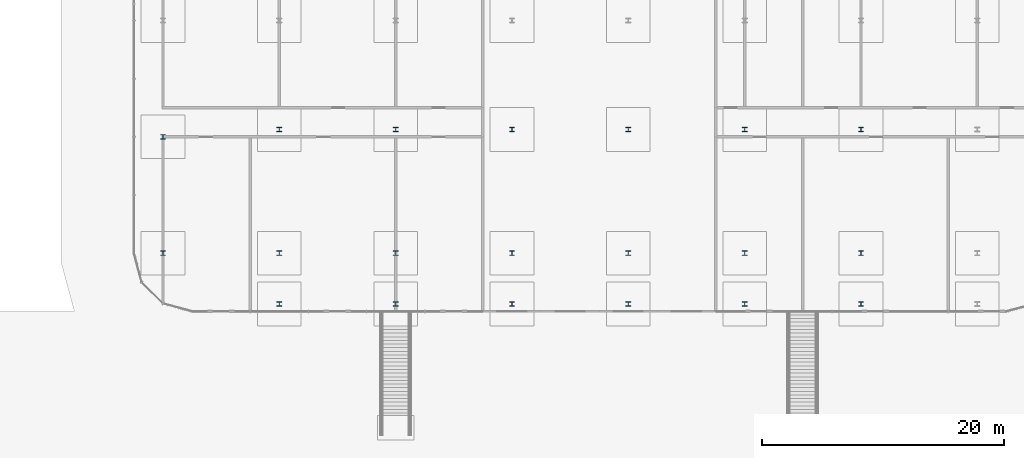
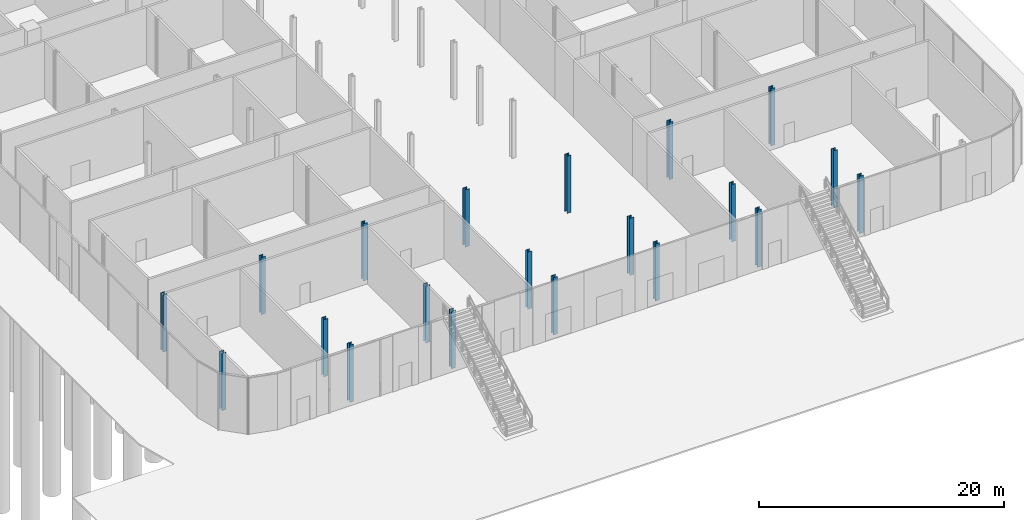
# One storey, part 3 of 44: 20 columns.
"""IFC4 building model written with IfcOpenShell, lengths in metres."""

from ifc_helpers import new_model, si_unit, direction, frame, origin, origin_2d, place, context, subcontext, project, spatial, i_section, extrude, material, material_profile, profile_set, type_object, element, save


model = new_model("IFC4")

# Units and contexts
model_context = context("Model", 3, precision=1e-05, world=origin(), true_north=direction((0.0, 1.0)))
body_context = subcontext(model_context, "Body", "Model", "MODEL_VIEW")
ifc_project = project(units=[si_unit("LENGTHUNIT", "METRE"), si_unit("AREAUNIT", "SQUARE_METRE"), si_unit("VOLUMEUNIT", "CUBIC_METRE"), si_unit("PLANEANGLEUNIT", "RADIAN"), si_unit("MASSUNIT", "GRAM", prefix="KILO")], contexts=[model_context])

# Site, building, storey
site_placement = place(None, origin())
site = spatial("IfcSite", under=ifc_project, at=site_placement, CompositionType="ELEMENT")
building_placement = place(site_placement, origin())
building = spatial("IfcBuilding", under=site, at=building_placement, Name="Madar Terraces", CompositionType="ELEMENT")
storey_placement = place(building_placement, origin())
storey = spatial("IfcBuildingStorey", under=building, at=storey_placement, Name="L00", CompositionType="ELEMENT", Elevation=0.0)

# Columns
ifc_material = material(Name="Steel ASTM A992 Grade 50", Category="steel")
ifc_material_profile = material_profile(ifc_material, i_section(OverallWidth=0.396240234375, OverallDepth=0.381103515625, WebThickness=0.01904296875, FlangeThickness=0.0302734375, at=origin_2d()), Name="W14x159")
ifc_profile_set = profile_set([ifc_material_profile], Name="Steel ASTM A992 Grade 50")
column_type = type_object("IfcColumnType", Name="PC2 W14x159", PredefinedType="COLUMN", material=ifc_profile_set)
for number, where, z_axis, x_axis, name in (
    (1, (-4.800048828125, -48.0, 0.0), (0.0, 0.0, 1.0), (1.0, 0.0, 0.0), "Podium column PC2"),
    (2, (-4.800048828125, -38.39990234375, 0.0), (0.0, 0.0, 1.0), (1.0, 0.0, 0.0), "Podium column PC2"),
    (3, (4.800048828125, -52.199951171875, 0.0), (0.0, 0.0, 1.0), (1.0, 0.0, 0.0), "Podium column PC2"),
    (4, (4.800048828125, -48.0, 0.0), (0.0, 0.0, 1.0), (1.0, 0.0, 0.0), "Podium column PC2"),
    (5, (4.800048828125, -37.800048828125, 0.0), (0.0, 0.0, 1.0), (1.0, 0.0, 0.0), "Podium column PC2"),
    (6, (14.39990234375, -52.199951171875, 0.0), (0.0, 0.0, 1.0), (1.0, 0.0, 0.0), "Podium column PC2"),
    (7, (14.39990234375, -48.0, 0.0), (0.0, 0.0, 1.0), (1.0, 0.0, 0.0), "Podium column PC2"),
    (8, (14.39990234375, -37.800048828125, 0.0), (0.0, 0.0, 1.0), (1.0, 0.0, 0.0), "Podium column PC2"),
    (9, (24.0, -52.199951171875, 0.0), (0.0, 0.0, 1.0), (1.0, 0.0, 0.0), "Podium column PC2"),
    (10, (24.0, -48.0, 0.0), (0.0, 0.0, 1.0), (1.0, 0.0, 0.0), "Podium column PC2"),
    (11, (24.0, -37.800048828125, 0.0), (0.0, 0.0, 1.0), (1.0, 0.0, 0.0), "Podium column PC2"),
    (12, (33.60009765625, -52.199951171875, 0.0), (0.0, 0.0, 1.0), (1.0, 0.0, 0.0), "Podium column PC2"),
    (13, (33.60009765625, -48.0, 0.0), (0.0, 0.0, 1.0), (1.0, 0.0, 0.0), "Podium column PC2"),
    (14, (33.60009765625, -37.800048828125, 0.0), (0.0, 0.0, 1.0), (1.0, 0.0, 0.0), "Podium column PC2"),
    (15, (43.199951171875, -52.199951171875, 0.0), (0.0, 0.0, 1.0), (1.0, 0.0, 0.0), "Podium column PC2"),
    (16, (43.199951171875, -48.0, 0.0), (0.0, 0.0, 1.0), (1.0, 0.0, 0.0), "Podium column PC2"),
    (17, (43.199951171875, -37.800048828125, 0.0), (0.0, 0.0, 1.0), (1.0, 0.0, 0.0), "Podium column PC2"),
    (18, (52.800048828125, -52.199951171875, 0.0), (0.0, 0.0, 1.0), (1.0, 0.0, 0.0), "Podium column PC2"),
    (19, (52.800048828125, -48.0, 0.0), (0.0, 0.0, 1.0), (1.0, 0.0, 0.0), "Podium column PC2"),
    (20, (52.800048828125, -37.800048828125, 0.0), (0.0, 0.0, 1.0), (1.0, 0.0, 0.0), "Podium column PC2"),
):
    element("IfcColumn", number, at=place(storey_placement, frame(where, z_axis=z_axis, x_axis=x_axis)), inside=storey, type_object=column_type, Name=name, PredefinedType="COLUMN", context=body_context, shape_type="SweptSolid", body=[
        extrude(i_section(OverallWidth=0.396240234375, OverallDepth=0.381103515625, WebThickness=0.01904296875, FlangeThickness=0.0302734375, at=origin_2d()), origin(), (0.0, 0.0, 1.0), 5.699951171875),
    ])

save(model, "model.ifc")
